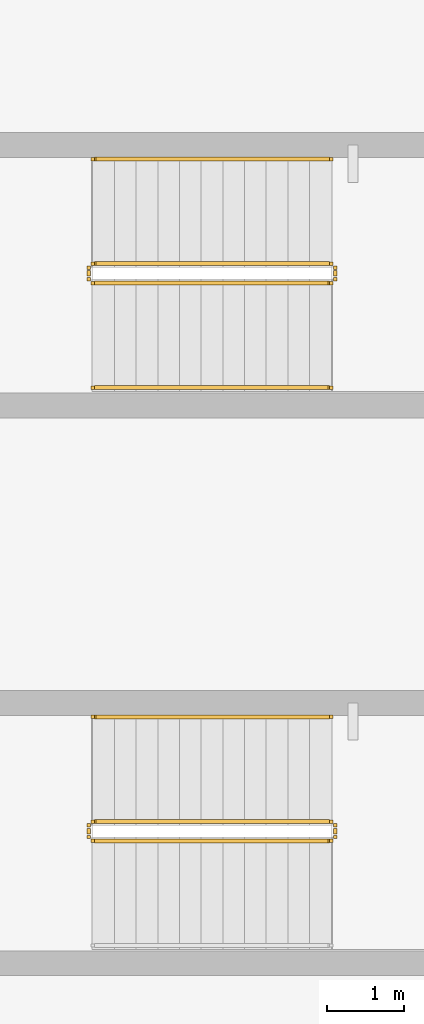
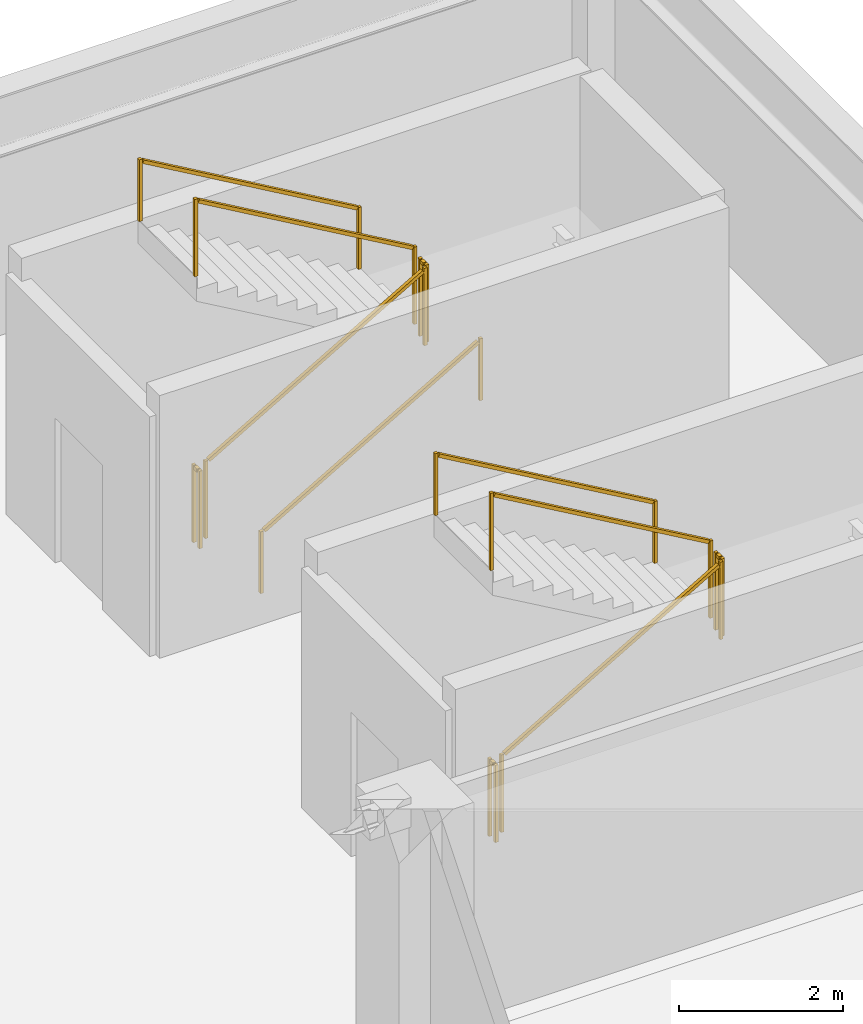
# One storey, part 16 of 16: 11 railings.
"""IFC4 building model written with IfcOpenShell, lengths in metres."""

from ifc_helpers import new_model, si_unit, direction, frame, origin, origin_2d, place, context, subcontext, project, spatial, rectangle, extrude, material, type_object, element, save


model = new_model("IFC4")

# Units and contexts
model_context = context("Model", 3, precision=1e-05, world=origin(), true_north=direction((0.0, 1.0)))
body_context = subcontext(model_context, "Body", "Model", "MODEL_VIEW")
ifc_project = project(units=[si_unit("LENGTHUNIT", "METRE"), si_unit("AREAUNIT", "SQUARE_METRE"), si_unit("VOLUMEUNIT", "CUBIC_METRE"), si_unit("PLANEANGLEUNIT", "RADIAN"), si_unit("MASSUNIT", "GRAM", prefix="KILO")], contexts=[model_context])

# Site, building, storey
site_placement = place(None, origin())
site = spatial("IfcSite", under=ifc_project, at=site_placement, CompositionType="ELEMENT")
building_placement = place(site_placement, origin())
building = spatial("IfcBuilding", under=site, at=building_placement, Name="Yunling Apex Tower", CompositionType="ELEMENT")
storey_placement = place(building_placement, frame((0.0, 0.0, 16.199951171875)))
storey = spatial("IfcBuildingStorey", under=building, at=storey_placement, Name="L05", CompositionType="ELEMENT", Elevation=16.199951171875)

# Railings
ifc_material_1 = material(Name="Steel Q355B", Category="steel")
railing_type_1 = type_object("IfcRailingType", Name="RL-GRD-1150", PredefinedType="GUARDRAIL", material=ifc_material_1)
railing_1_placement = place(storey_placement, frame((25.35009765625, 17.0, 0.16259765625)))
element("IfcRailing", 1, at=railing_1_placement, inside=storey, type_object=railing_type_1, Name="L05 ST-P2 stair guard 1", PredefinedType="GUARDRAIL", context=body_context, shape_type="SweptSolid", body=[
    extrude(rectangle(XDim=0.0439453125, YDim=0.0439453125, at=origin_2d()), origin(), (0.0, 0.0, 1.0), 1.14990234375),
    extrude(rectangle(XDim=0.0439453125, YDim=0.0439453125, at=origin_2d()), frame((3.079833984375, 0.0, 1.787353515625)), (0.0, 0.0, 1.0), 1.14990234375),
    extrude(rectangle(XDim=0.050048828125, YDim=0.050048828125, at=origin_2d()), frame((0.033203125, 0.0, 1.14404296875), z_axis=(0.864903211148, 0.0, 0.501938676878), x_axis=(0.0, 1.0, 0.0)), (0.0, 0.0, 1.0), 3.484130859375),
])
railing_2_placement = place(storey_placement, frame((28.47998046875, 17.050048828125, 1.949951171875)))
element("IfcRailing", 2, at=railing_2_placement, inside=storey, type_object=railing_type_1, Name="L05 ST-P2 stair guard 2", PredefinedType="GUARDRAIL", context=body_context, shape_type="SweptSolid", body=[
    extrude(rectangle(XDim=0.0439453125, YDim=0.0439453125, at=origin_2d()), origin(), (0.0, 0.0, 1.0), 1.14990234375),
    extrude(rectangle(XDim=0.0439453125, YDim=0.0439453125, at=origin_2d()), frame((0.0, 0.14990234375, 0.0)), (0.0, 0.0, 1.0), 1.14990234375),
    extrude(rectangle(XDim=0.050048828125, YDim=0.050048828125, at=origin_2d()), frame((0.0, 0.038330078125, 1.125), z_axis=(0.0, 1.0, 0.0), x_axis=(-1.0, 0.0, 0.0)), (0.0, 0.0, 1.0), 0.0732421875),
])
railing_3_placement = place(storey_placement, frame((28.429931640625, 17.25, 2.112548828125)))
element("IfcRailing", 3, at=railing_3_placement, inside=storey, type_object=railing_type_1, Name="L05 ST-P2 stair guard 3", PredefinedType="GUARDRAIL", context=body_context, shape_type="SweptSolid", body=[
    extrude(rectangle(XDim=0.0439453125, YDim=0.0439453125, at=origin_2d()), origin(), (0.0, 0.0, 1.0), 1.14990234375),
    extrude(rectangle(XDim=0.0439453125, YDim=0.0439453125, at=origin_2d()), frame((-3.079833984375, 0.0, 1.78759765625)), (0.0, 0.0, 1.0), 1.14990234375),
    extrude(rectangle(XDim=0.050048828125, YDim=0.050048828125, at=origin_2d()), frame((-0.033203125, 0.0, 1.14404296875), z_axis=(-0.864873446163, 0.0, 0.501989962173), x_axis=(0.0, -1.0, 0.0)), (0.0, 0.0, 1.0), 3.484375),
])
railing_4_placement = place(storey_placement, frame((25.300048828125, 17.050048828125, 0.0)))
element("IfcRailing", 4, at=railing_4_placement, inside=storey, type_object=railing_type_1, Name="L05 ST-P2 stair guard 4", PredefinedType="GUARDRAIL", context=body_context, shape_type="SweptSolid", body=[
    extrude(rectangle(XDim=0.0439453125, YDim=0.0439453125, at=origin_2d()), origin(), (0.0, 0.0, 1.0), 1.14990234375),
    extrude(rectangle(XDim=0.0439453125, YDim=0.0439453125, at=origin_2d()), frame((0.0, 0.14990234375, 0.0)), (0.0, 0.0, 1.0), 1.14990234375),
    extrude(rectangle(XDim=0.050048828125, YDim=0.050048828125, at=origin_2d()), frame((0.0, 0.038330078125, 1.125), z_axis=(0.0, 1.0, 0.0), x_axis=(-1.0, 0.0, 0.0)), (0.0, 0.0, 1.0), 0.0732421875),
])
railing_5_placement = place(storey_placement, frame((25.35009765625, 24.199951171875, 0.16259765625)))
element("IfcRailing", 5, at=railing_5_placement, inside=storey, type_object=railing_type_1, Name="L05 ST-G2 stair guard 1", PredefinedType="GUARDRAIL", context=body_context, shape_type="SweptSolid", body=[
    extrude(rectangle(XDim=0.0439453125, YDim=0.0439453125, at=origin_2d()), origin(), (0.0, 0.0, 1.0), 1.14990234375),
    extrude(rectangle(XDim=0.0439453125, YDim=0.0439453125, at=origin_2d()), frame((3.079833984375, 0.0, 1.787353515625)), (0.0, 0.0, 1.0), 1.14990234375),
    extrude(rectangle(XDim=0.050048828125, YDim=0.050048828125, at=origin_2d()), frame((0.033203125, 0.0, 1.14404296875), z_axis=(0.864903211148, 0.0, 0.501938676878), x_axis=(0.0, 1.0, 0.0)), (0.0, 0.0, 1.0), 3.484130859375),
])
railing_6_placement = place(storey_placement, frame((28.47998046875, 24.25, 1.949951171875)))
element("IfcRailing", 6, at=railing_6_placement, inside=storey, type_object=railing_type_1, Name="L05 ST-G2 stair guard 2", PredefinedType="GUARDRAIL", context=body_context, shape_type="SweptSolid", body=[
    extrude(rectangle(XDim=0.0439453125, YDim=0.0439453125, at=origin_2d()), origin(), (0.0, 0.0, 1.0), 1.14990234375),
    extrude(rectangle(XDim=0.0439453125, YDim=0.0439453125, at=origin_2d()), frame((0.0, 0.14990234375, 0.0)), (0.0, 0.0, 1.0), 1.14990234375),
    extrude(rectangle(XDim=0.050048828125, YDim=0.050048828125, at=origin_2d()), frame((0.0, 0.038330078125, 1.125), z_axis=(0.0, 1.0, 0.0), x_axis=(-1.0, 0.0, 0.0)), (0.0, 0.0, 1.0), 0.0732421875),
])
railing_7_placement = place(storey_placement, frame((28.429931640625, 24.449951171875, 2.112548828125)))
element("IfcRailing", 7, at=railing_7_placement, inside=storey, type_object=railing_type_1, Name="L05 ST-G2 stair guard 3", PredefinedType="GUARDRAIL", context=body_context, shape_type="SweptSolid", body=[
    extrude(rectangle(XDim=0.0439453125, YDim=0.0439453125, at=origin_2d()), origin(), (0.0, 0.0, 1.0), 1.14990234375),
    extrude(rectangle(XDim=0.0439453125, YDim=0.0439453125, at=origin_2d()), frame((-3.079833984375, 0.0, 1.78759765625)), (0.0, 0.0, 1.0), 1.14990234375),
    extrude(rectangle(XDim=0.050048828125, YDim=0.050048828125, at=origin_2d()), frame((-0.033203125, 0.0, 1.14404296875), z_axis=(-0.864873446163, 0.0, 0.501989962173), x_axis=(0.0, -1.0, 0.0)), (0.0, 0.0, 1.0), 3.484375),
])
railing_8_placement = place(storey_placement, frame((25.300048828125, 24.25, 0.0)))
element("IfcRailing", 8, at=railing_8_placement, inside=storey, type_object=railing_type_1, Name="L05 ST-G2 stair guard 4", PredefinedType="GUARDRAIL", context=body_context, shape_type="SweptSolid", body=[
    extrude(rectangle(XDim=0.0439453125, YDim=0.0439453125, at=origin_2d()), origin(), (0.0, 0.0, 1.0), 1.14990234375),
    extrude(rectangle(XDim=0.0439453125, YDim=0.0439453125, at=origin_2d()), frame((0.0, 0.14990234375, 0.0)), (0.0, 0.0, 1.0), 1.14990234375),
    extrude(rectangle(XDim=0.050048828125, YDim=0.050048828125, at=origin_2d()), frame((0.0, 0.038330078125, 1.125), z_axis=(0.0, 1.0, 0.0), x_axis=(-1.0, 0.0, 0.0)), (0.0, 0.0, 1.0), 0.0732421875),
])
ifc_material_2 = material(Name="Silver anodised aluminium", Category="aluminium")
railing_type_2 = type_object("IfcRailingType", Name="RL-HND-900", PredefinedType="HANDRAIL", material=ifc_material_2)
railing_9_placement = place(storey_placement, frame((28.429931640625, 18.60009765625, 2.112548828125)))
element("IfcRailing", 9, at=railing_9_placement, inside=storey, type_object=railing_type_2, Name="L05 ST-P2 stair handrail 2", PredefinedType="HANDRAIL", context=body_context, shape_type="SweptSolid", body=[
    extrude(rectangle(XDim=0.0439453125, YDim=0.0439453125, at=origin_2d()), origin(), (0.0, 0.0, 1.0), 0.919921875),
    extrude(rectangle(XDim=0.0439453125, YDim=0.0439453125, at=origin_2d()), frame((-3.079833984375, 0.0, 1.78759765625)), (0.0, 0.0, 1.0), 0.919921875),
    extrude(rectangle(XDim=0.050048828125, YDim=0.050048828125, at=origin_2d()), frame((-0.033203125, 0.0, 0.9140625), z_axis=(-0.864873446163, 0.0, 0.501989962173), x_axis=(0.0, -1.0, 0.0)), (0.0, 0.0, 1.0), 3.484375),
])
railing_10_placement = place(storey_placement, frame((25.35009765625, 22.85009765625, 0.16259765625)))
element("IfcRailing", 10, at=railing_10_placement, inside=storey, type_object=railing_type_2, Name="L05 ST-G2 stair handrail 1", PredefinedType="HANDRAIL", context=body_context, shape_type="SweptSolid", body=[
    extrude(rectangle(XDim=0.0439453125, YDim=0.0439453125, at=origin_2d()), origin(), (0.0, 0.0, 1.0), 0.919921875),
    extrude(rectangle(XDim=0.0439453125, YDim=0.0439453125, at=origin_2d()), frame((3.079833984375, 0.0, 1.787353515625)), (0.0, 0.0, 1.0), 0.919921875),
    extrude(rectangle(XDim=0.050048828125, YDim=0.050048828125, at=origin_2d()), frame((0.033203125, 0.0, 0.9140625), z_axis=(0.864903211148, 0.0, 0.501938676878), x_axis=(0.0, 1.0, 0.0)), (0.0, 0.0, 1.0), 3.484130859375),
])
railing_11_placement = place(storey_placement, frame((28.429931640625, 25.800048828125, 2.112548828125)))
element("IfcRailing", 11, at=railing_11_placement, inside=storey, type_object=railing_type_2, Name="L05 ST-G2 stair handrail 2", PredefinedType="HANDRAIL", context=body_context, shape_type="SweptSolid", body=[
    extrude(rectangle(XDim=0.0439453125, YDim=0.0439453125, at=origin_2d()), origin(), (0.0, 0.0, 1.0), 0.919921875),
    extrude(rectangle(XDim=0.0439453125, YDim=0.0439453125, at=origin_2d()), frame((-3.079833984375, 0.0, 1.78759765625)), (0.0, 0.0, 1.0), 0.919921875),
    extrude(rectangle(XDim=0.050048828125, YDim=0.050048828125, at=origin_2d()), frame((-0.033203125, 0.0, 0.9140625), z_axis=(-0.864873446163, 0.0, 0.501989962173), x_axis=(0.0, -1.0, 0.0)), (0.0, 0.0, 1.0), 3.484375),
])

save(model, "model.ifc")
